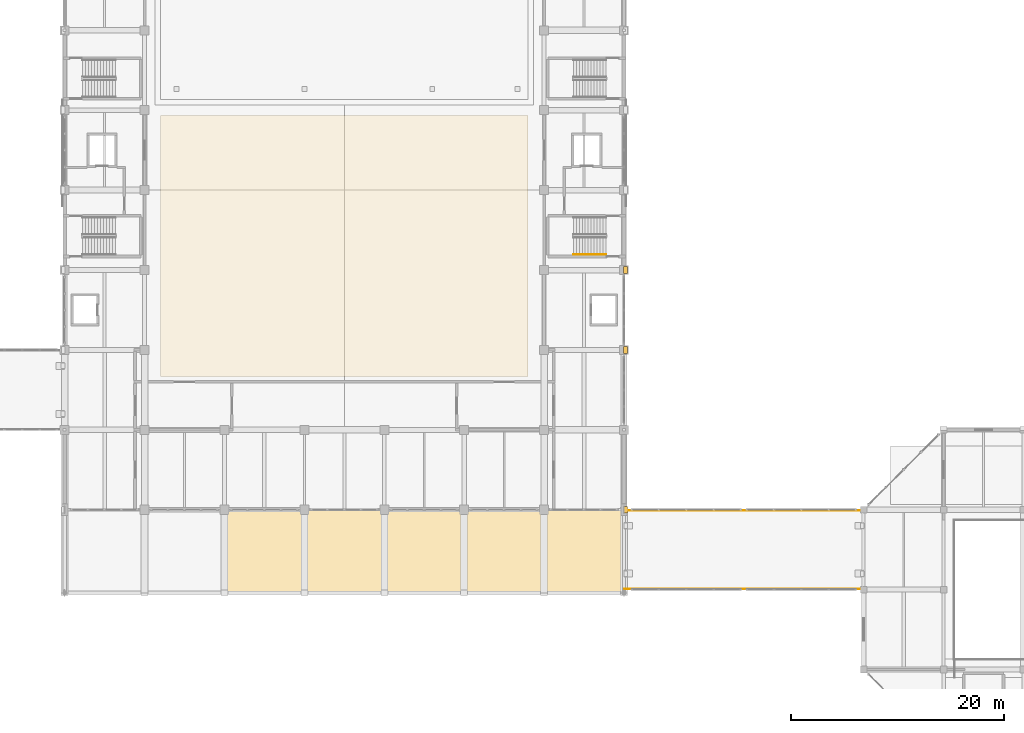
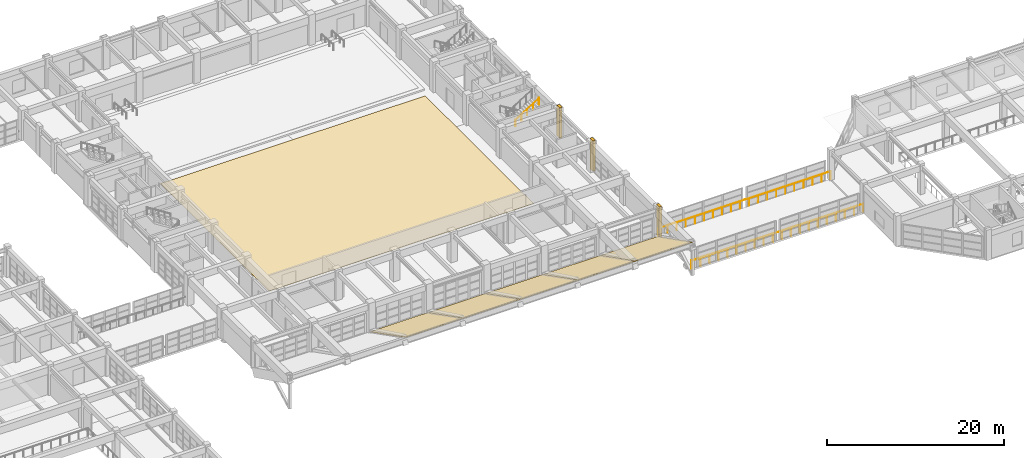
# One storey, part 122 of 132: 9 coverings, 3 railings.
"""IFC4 building model written with IfcOpenShell, lengths in metres."""

from ifc_helpers import new_model, si_unit, direction, frame, origin, origin_2d, place, context, subcontext, project, spatial, polyline, rectangle, circle, outline, extrude, material, layer, layer_set, type_object, element, save


model = new_model("IFC4")

# Units and contexts
model_context = context("Model", 3, precision=1e-05, world=origin(), true_north=direction((0.0, 1.0)))
body_context = subcontext(model_context, "Body", "Model", "MODEL_VIEW")
ifc_project = project(units=[si_unit("LENGTHUNIT", "METRE"), si_unit("AREAUNIT", "SQUARE_METRE"), si_unit("VOLUMEUNIT", "CUBIC_METRE"), si_unit("PLANEANGLEUNIT", "RADIAN"), si_unit("MASSUNIT", "GRAM", prefix="KILO")], contexts=[model_context])

# Site, building, storey
site_placement = place(None, origin())
site = spatial("IfcSite", under=ifc_project, at=site_placement, CompositionType="ELEMENT")
building_placement = place(site_placement, origin())
building = spatial("IfcBuilding", under=site, at=building_placement, Name="Qasida Concert Hall", CompositionType="ELEMENT")
storey_placement = place(building_placement, frame((0.0, 0.0, 4.800048828125)))
storey = spatial("IfcBuildingStorey", under=building, at=storey_placement, Name="L01", CompositionType="ELEMENT", Elevation=4.800048828125)

# Coverings
ifc_material_1 = material(Name="Sculpted fibrous plaster acoustic reflector ceiling", Category="gypsum")
ifc_layer_1 = layer(ifc_material_1, 0.0400390625, Name="Sculpted fibrous plaster acoustic reflector ceiling")
ifc_layer_set_1 = layer_set([ifc_layer_1], Name="Sculpted fibrous plaster acoustic reflector ceiling")
covering_type_1 = type_object("IfcCoveringType", Name="CV-CE-1", PredefinedType="CEILING", material=ifc_layer_set_1)
for number, where, z_axis, x_axis, name in (
    (1, (67.5, 22.5, -0.050048828125), (0.0, 0.453595634134, 0.891207608077), (1.0, 0.0, 0.0), "Upward-sloping sheltered entrance soffit bay 3"),
    (2, (75.0, 22.5, -0.050048828125), (0.0, 0.453595634134, 0.891207608077), (1.0, 0.0, 0.0), "Upward-sloping sheltered entrance soffit bay 4"),
    (3, (82.5, 22.5, -0.050048828125), (0.0, 0.453595634134, 0.891207608077), (1.0, 0.0, 0.0), "Upward-sloping sheltered entrance soffit bay 5"),
    (4, (90.0, 22.5, -0.050048828125), (0.0, 0.453595634134, 0.891207608077), (1.0, 0.0, 0.0), "Upward-sloping sheltered entrance soffit bay 6"),
    (5, (97.5, 22.5, -0.050048828125), (0.0, 0.453595634134, 0.891207608077), (1.0, 0.0, 0.0), "Upward-sloping sheltered entrance soffit bay 7"),
):
    element("IfcCovering", number, at=place(storey_placement, frame(where, z_axis=z_axis, x_axis=x_axis)), inside=storey, type_object=covering_type_1, Name=name, PredefinedType="CEILING", context=body_context, shape_type="SweptSolid", body=[
        extrude(outline(polyline([(0.0, 0.0), (7.5, 0.0), (7.5, -8.752224237575554), (0.0, -8.752224237575554), (0.0, 0.0)])), origin(), (0.0, 0.0, -1.0), 0.080078125),
    ])
ifc_material_2 = material(Name="Quarter-sawn European oak stage and parterre flooring", Category="wood")
ifc_layer_2 = layer(ifc_material_2, 0.030029296875, Name="Quarter-sawn European oak stage and parterre flooring")
ifc_layer_set_2 = layer_set([ifc_layer_2], Name="Quarter-sawn European oak stage and parterre flooring")
covering_type_2 = type_object("IfcCoveringType", Name="CV-FL-1", PredefinedType="FLOORING", material=ifc_layer_set_2)
covering_placement = place(storey_placement, origin())
element("IfcCovering", 6, at=covering_placement, inside=storey, type_object=covering_type_2, Name="L01 acoustic timber flooring 04", PredefinedType="FLOORING", context=body_context, shape_type="SweptSolid", body=[
    extrude(outline(polyline([(61.5, 35.0), (96.0, 35.0), (96.0, 59.5), (61.5, 59.5), (61.5, 35.0)])), origin(), (0.0, 0.0, 1.0), 0.030029296875),
])
ifc_material_3 = material(Name="Projecting fluted Lebanese limestone Art Deco pilaster", Category="masonry")
ifc_layer_3 = layer(ifc_material_3, 0.35009765625, Name="Projecting fluted Lebanese limestone Art Deco pilaster")
ifc_layer_set_3 = layer_set([ifc_layer_3], Name="Projecting fluted Lebanese limestone Art Deco pilaster")
covering_type_3 = type_object("IfcCoveringType", Name="CV-PIL-650", PredefinedType="CLADDING", material=ifc_layer_set_3)
for number, where, z_axis, x_axis, name in (
    (7, (105.135009765625, 22.5, 0.0), (0.0, 0.0, 1.0), (1.0, 0.0, 0.0), "L01 fluted limestone pilaster 0009"),
    (8, (105.135009765625, 37.5, 0.0), (0.0, 0.0, 1.0), (1.0, 0.0, 0.0), "L01 fluted limestone pilaster 0023"),
    (9, (105.135009765625, 45.0, 0.0), (0.0, 0.0, 1.0), (1.0, 0.0, 0.0), "L01 fluted limestone pilaster 0037"),
):
    element("IfcCovering", number, at=place(storey_placement, frame(where, z_axis=z_axis, x_axis=x_axis)), inside=storey, type_object=covering_type_3, Name=name, PredefinedType="CLADDING", context=body_context, shape_type="SweptSolid", body=[
        extrude(rectangle(XDim=0.35009765625, YDim=0.64990234375, at=origin_2d()), origin(), (0.0, 0.0, 1.0), 4.199951171875),
    ])

# Railings
ifc_material_4 = material(Name="Patinated architectural bronze and laminated glass infill", Category="glass")
ifc_layer_4 = layer(ifc_material_4, 0.080078125, Name="Patinated architectural bronze and laminated glass infill")
ifc_layer_set_4 = layer_set([ifc_layer_4], Name="Patinated architectural bronze and laminated glass infill")
railing_type_1 = type_object("IfcRailingType", Name="RL-GRD-1100", PredefinedType="GUARDRAIL", material=ifc_layer_set_4)
railing_1_placement = place(storey_placement, frame((105.050048828125, 15.050048828125, 0.0)))
element("IfcRailing", 10, at=railing_1_placement, inside=storey, type_object=railing_type_1, Name="L01 Chamber bridge south guard 0036", PredefinedType="GUARDRAIL", context=body_context, shape_type="SweptSolid", body=[
    extrude(circle(Radius=0.02392578125, at=origin_2d()), frame((0.0, 0.0, 1.09619140625), z_axis=(1.0, 0.0, 0.0), x_axis=(0.0, 1.0, 0.0)), (0.0, 0.0, 1.0), 22.39990234375),
    extrude(circle(Radius=0.02099609375, at=origin_2d()), origin(), (0.0, 0.0, 1.0), 1.072021484375),
    extrude(circle(Radius=0.02099609375, at=origin_2d()), frame((1.178955078125, 0.0, 0.0)), (0.0, 0.0, 1.0), 1.072021484375),
    extrude(circle(Radius=0.02099609375, at=origin_2d()), frame((2.35791015625, 0.0, 0.0)), (0.0, 0.0, 1.0), 1.072021484375),
    extrude(circle(Radius=0.02099609375, at=origin_2d()), frame((3.536865234375, 0.0, 0.0)), (0.0, 0.0, 1.0), 1.072021484375),
    extrude(circle(Radius=0.02099609375, at=origin_2d()), frame((4.7158203125, 0.0, 0.0)), (0.0, 0.0, 1.0), 1.072021484375),
    extrude(circle(Radius=0.02099609375, at=origin_2d()), frame((5.894775390625, 0.0, 0.0)), (0.0, 0.0, 1.0), 1.072021484375),
    extrude(circle(Radius=0.02099609375, at=origin_2d()), frame((7.07373046875, 0.0, 0.0)), (0.0, 0.0, 1.0), 1.072021484375),
    extrude(circle(Radius=0.02099609375, at=origin_2d()), frame((8.252685546875, 0.0, 0.0)), (0.0, 0.0, 1.0), 1.072021484375),
    extrude(circle(Radius=0.02099609375, at=origin_2d()), frame((9.431640625, 0.0, 0.0)), (0.0, 0.0, 1.0), 1.072021484375),
    extrude(circle(Radius=0.02099609375, at=origin_2d()), frame((10.610595703125, 0.0, 0.0)), (0.0, 0.0, 1.0), 1.072021484375),
    extrude(circle(Radius=0.02099609375, at=origin_2d()), frame((11.789306640625, 0.0, 0.0)), (0.0, 0.0, 1.0), 1.072021484375),
    extrude(circle(Radius=0.02099609375, at=origin_2d()), frame((12.96826171875, 0.0, 0.0)), (0.0, 0.0, 1.0), 1.072021484375),
    extrude(circle(Radius=0.02099609375, at=origin_2d()), frame((14.147216796875, 0.0, 0.0)), (0.0, 0.0, 1.0), 1.072021484375),
    extrude(circle(Radius=0.02099609375, at=origin_2d()), frame((15.326171875, 0.0, 0.0)), (0.0, 0.0, 1.0), 1.072021484375),
    extrude(circle(Radius=0.02099609375, at=origin_2d()), frame((16.505126953125, 0.0, 0.0)), (0.0, 0.0, 1.0), 1.072021484375),
    extrude(circle(Radius=0.02099609375, at=origin_2d()), frame((17.68408203125, 0.0, 0.0)), (0.0, 0.0, 1.0), 1.072021484375),
    extrude(circle(Radius=0.02099609375, at=origin_2d()), frame((18.863037109375, 0.0, 0.0)), (0.0, 0.0, 1.0), 1.072021484375),
    extrude(circle(Radius=0.02099609375, at=origin_2d()), frame((20.0419921875, 0.0, 0.0)), (0.0, 0.0, 1.0), 1.072021484375),
    extrude(circle(Radius=0.02099609375, at=origin_2d()), frame((21.220947265625, 0.0, 0.0)), (0.0, 0.0, 1.0), 1.072021484375),
    extrude(circle(Radius=0.02099609375, at=origin_2d()), frame((22.39990234375, 0.0, 0.0)), (0.0, 0.0, 1.0), 1.072021484375),
])
railing_2_placement = place(storey_placement, frame((105.050048828125, 22.449951171875, 0.0)))
element("IfcRailing", 11, at=railing_2_placement, inside=storey, type_object=railing_type_1, Name="L01 Chamber bridge north guard 0037", PredefinedType="GUARDRAIL", context=body_context, shape_type="SweptSolid", body=[
    extrude(circle(Radius=0.02392578125, at=origin_2d()), frame((0.0, 0.0, 1.09619140625), z_axis=(1.0, 0.0, 0.0), x_axis=(0.0, 1.0, 0.0)), (0.0, 0.0, 1.0), 22.39990234375),
    extrude(circle(Radius=0.02099609375, at=origin_2d()), origin(), (0.0, 0.0, 1.0), 1.072021484375),
    extrude(circle(Radius=0.02099609375, at=origin_2d()), frame((1.178955078125, 0.0, 0.0)), (0.0, 0.0, 1.0), 1.072021484375),
    extrude(circle(Radius=0.02099609375, at=origin_2d()), frame((2.35791015625, 0.0, 0.0)), (0.0, 0.0, 1.0), 1.072021484375),
    extrude(circle(Radius=0.02099609375, at=origin_2d()), frame((3.536865234375, 0.0, 0.0)), (0.0, 0.0, 1.0), 1.072021484375),
    extrude(circle(Radius=0.02099609375, at=origin_2d()), frame((4.7158203125, 0.0, 0.0)), (0.0, 0.0, 1.0), 1.072021484375),
    extrude(circle(Radius=0.02099609375, at=origin_2d()), frame((5.894775390625, 0.0, 0.0)), (0.0, 0.0, 1.0), 1.072021484375),
    extrude(circle(Radius=0.02099609375, at=origin_2d()), frame((7.07373046875, 0.0, 0.0)), (0.0, 0.0, 1.0), 1.072021484375),
    extrude(circle(Radius=0.02099609375, at=origin_2d()), frame((8.252685546875, 0.0, 0.0)), (0.0, 0.0, 1.0), 1.072021484375),
    extrude(circle(Radius=0.02099609375, at=origin_2d()), frame((9.431640625, 0.0, 0.0)), (0.0, 0.0, 1.0), 1.072021484375),
    extrude(circle(Radius=0.02099609375, at=origin_2d()), frame((10.610595703125, 0.0, 0.0)), (0.0, 0.0, 1.0), 1.072021484375),
    extrude(circle(Radius=0.02099609375, at=origin_2d()), frame((11.789306640625, 0.0, 0.0)), (0.0, 0.0, 1.0), 1.072021484375),
    extrude(circle(Radius=0.02099609375, at=origin_2d()), frame((12.96826171875, 0.0, 0.0)), (0.0, 0.0, 1.0), 1.072021484375),
    extrude(circle(Radius=0.02099609375, at=origin_2d()), frame((14.147216796875, 0.0, 0.0)), (0.0, 0.0, 1.0), 1.072021484375),
    extrude(circle(Radius=0.02099609375, at=origin_2d()), frame((15.326171875, 0.0, 0.0)), (0.0, 0.0, 1.0), 1.072021484375),
    extrude(circle(Radius=0.02099609375, at=origin_2d()), frame((16.505126953125, 0.0, 0.0)), (0.0, 0.0, 1.0), 1.072021484375),
    extrude(circle(Radius=0.02099609375, at=origin_2d()), frame((17.68408203125, 0.0, 0.0)), (0.0, 0.0, 1.0), 1.072021484375),
    extrude(circle(Radius=0.02099609375, at=origin_2d()), frame((18.863037109375, 0.0, 0.0)), (0.0, 0.0, 1.0), 1.072021484375),
    extrude(circle(Radius=0.02099609375, at=origin_2d()), frame((20.0419921875, 0.0, 0.0)), (0.0, 0.0, 1.0), 1.072021484375),
    extrude(circle(Radius=0.02099609375, at=origin_2d()), frame((21.220947265625, 0.0, 0.0)), (0.0, 0.0, 1.0), 1.072021484375),
    extrude(circle(Radius=0.02099609375, at=origin_2d()), frame((22.39990234375, 0.0, 0.0)), (0.0, 0.0, 1.0), 1.072021484375),
])
ifc_material_5 = material(Name="Patinated tubular architectural bronze", Category="steel")
ifc_layer_5 = layer(ifc_material_5, 0.050048828125, Name="Patinated tubular architectural bronze")
ifc_layer_set_5 = layer_set([ifc_layer_5], Name="Patinated tubular architectural bronze")
railing_type_2 = type_object("IfcRailingType", Name="RL-HND-900", PredefinedType="HANDRAIL", material=ifc_layer_set_5)
railing_3_placement = place(storey_placement, frame((100.239990234375, 46.449951171875, 2.27490234375)))
element("IfcRailing", 12, at=railing_3_placement, inside=storey, type_object=railing_type_2, Name="L01 ST-02 stair handrail 2", PredefinedType="HANDRAIL", context=body_context, shape_type="SweptSolid", body=[
    extrude(circle(Radius=0.02392578125, at=origin_2d()), frame((0.0, 0.0, 0.8759765625), z_axis=(0.847998304005, 0.0, 0.529998940003), x_axis=(0.0, 1.0, 0.0)), (0.0, 0.0, 1.0), 3.632080078125),
    extrude(circle(Radius=0.02099609375, at=origin_2d()), origin(), (0.0, 0.0, 1.0), 0.851806640625),
    extrude(circle(Radius=0.02099609375, at=origin_2d()), frame((0.77001953125, 0.0, 0.481201171875)), (0.0, 0.0, 1.0), 0.851806640625),
    extrude(circle(Radius=0.02099609375, at=origin_2d()), frame((1.5400390625, 0.0, 0.96240234375)), (0.0, 0.0, 1.0), 0.851806640625),
    extrude(circle(Radius=0.02099609375, at=origin_2d()), frame((2.31005859375, 0.0, 1.44384765625)), (0.0, 0.0, 1.0), 0.851806640625),
    extrude(circle(Radius=0.02099609375, at=origin_2d()), frame((3.080078125, 0.0, 1.925048828125)), (0.0, 0.0, 1.0), 0.851806640625),
])

save(model, "model.ifc")
